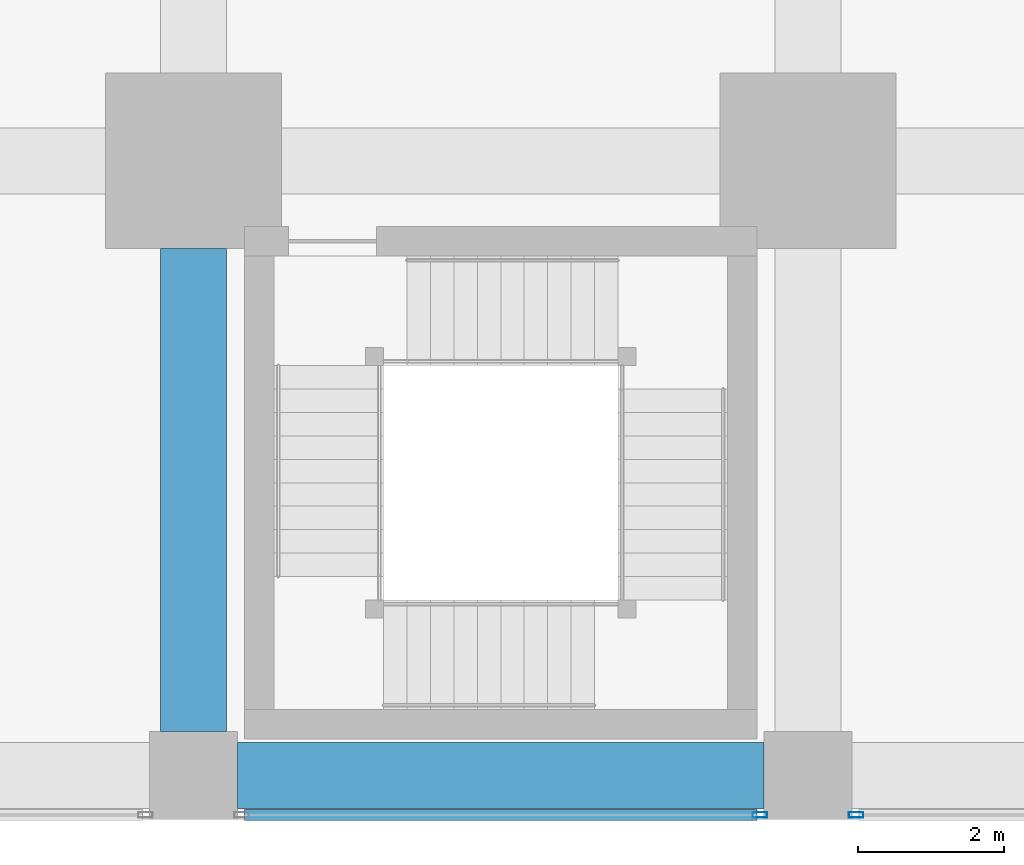
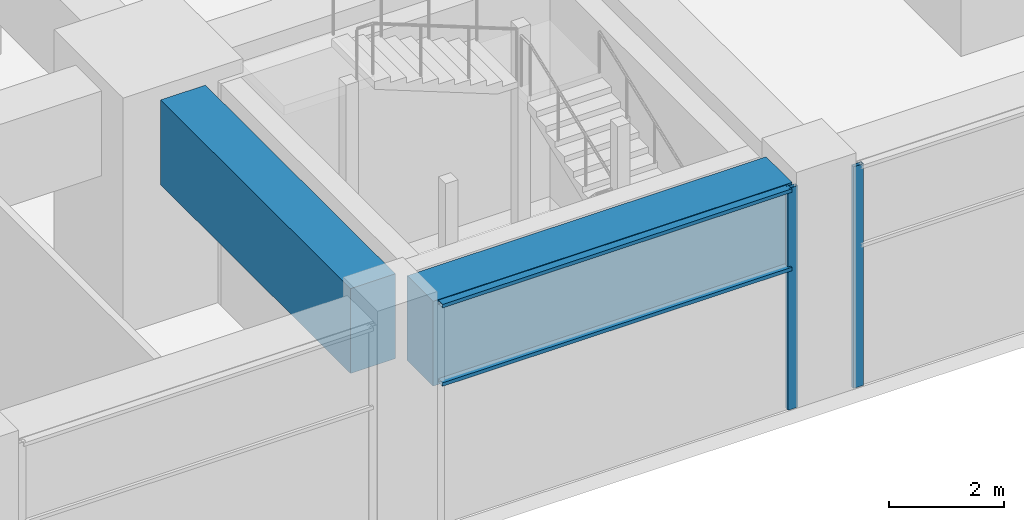
# One storey, part 7 of 49: 4 members, 2 beams, 2 elements without a shape of their own.
"""IFC4 building model written with IfcOpenShell, lengths in metres."""

from ifc_helpers import new_model, si_unit, direction, frame, origin, origin_2d, place, context, subcontext, project, spatial, rectangle, hollow_rectangle, extrude, material, material_profile, profile_set, type_object, element, aggregate, save


model = new_model("IFC4")

# Units and contexts
model_context = context("Model", 3, precision=1e-05, world=origin(), true_north=direction((0.0, 1.0)))
body_context = subcontext(model_context, "Body", "Model", "MODEL_VIEW")
ifc_project = project(units=[si_unit("LENGTHUNIT", "METRE"), si_unit("AREAUNIT", "SQUARE_METRE"), si_unit("VOLUMEUNIT", "CUBIC_METRE"), si_unit("PLANEANGLEUNIT", "RADIAN"), si_unit("MASSUNIT", "GRAM", prefix="KILO")], contexts=[model_context])

# Site, building, storey
site_placement = place(None, origin())
site = spatial("IfcSite", under=ifc_project, at=site_placement, CompositionType="ELEMENT")
building_placement = place(site_placement, origin())
building = spatial("IfcBuilding", under=site, at=building_placement, Name="Rekha Terrace Tower", CompositionType="ELEMENT")
storey_placement = place(building_placement, frame((0.0, 0.0, 10.39990234375)))
storey = spatial("IfcBuildingStorey", under=building, at=storey_placement, Name="L02", CompositionType="ELEMENT", Elevation=10.39990234375)

# Curtain wall, member
ifc_material_1 = material(Name="Aluminium framing", Category="aluminium")
curtain_wall_type = type_object("IfcCurtainWallType", Name="CW4 podium shopfront glazing", PredefinedType="USERDEFINED", material=ifc_material_1)
curtain_wall_1_placement = place(storey_placement, origin())
curtain_wall_1 = element("IfcCurtainWall", 1, at=curtain_wall_1_placement, inside=storey, type_object=curtain_wall_type, Name="CW4 shopfront curtain wall", ObjectType="SHOPFRONT CURTAIN WALL", PredefinedType="USERDEFINED")
ifc_material_2 = material(Name="Aluminium mullion section", Category="aluminium")
ifc_material_profile_1 = material_profile(ifc_material_2, hollow_rectangle(XDim=0.074951171875, YDim=0.199951171875, WallThickness=0.00390625, at=origin_2d()), Name="AL RHS 75x200")
ifc_profile_set_1 = profile_set([ifc_material_profile_1], Name="Aluminium mullion section")
member_type_1 = type_object("IfcMemberType", Name="CW4 mullion RHS 75 x 200", PredefinedType="MULLION", material=ifc_profile_set_1)
member_1_placement = place(storey_placement, frame((24.54248046875, -0.5400390625, 0.0), z_axis=(0.0, 0.0, 1.0), x_axis=(0.0, 1.0, 0.0)))
member_1 = element("IfcMember", 2, at=member_1_placement, type_object=member_type_1, Name="CW4 mullion 2", PredefinedType="MULLION", context=body_context, shape_type="SweptSolid", body=[
    extrude(hollow_rectangle(XDim=0.074951171875, YDim=0.199951171875, WallThickness=0.00390625, at=origin_2d()), origin(), (0.0, 0.0, 1.0), 4.7001953125),
])

curtain_wall_2_placement = place(storey_placement, origin())
curtain_wall_2 = element("IfcCurtainWall", 3, at=curtain_wall_2_placement, inside=storey, type_object=curtain_wall_type, Name="CW4 shopfront curtain wall", ObjectType="SHOPFRONT CURTAIN WALL", PredefinedType="USERDEFINED")
member_2_placement = place(storey_placement, frame((25.857421875, -0.5400390625, 0.0), z_axis=(0.0, 0.0, 1.0), x_axis=(0.0, 1.0, 0.0)))
member_2 = element("IfcMember", 4, at=member_2_placement, type_object=member_type_1, Name="CW4 mullion 1", PredefinedType="MULLION", context=body_context, shape_type="SweptSolid", body=[
    extrude(hollow_rectangle(XDim=0.074951171875, YDim=0.199951171875, WallThickness=0.00390625, at=origin_2d()), origin(), (0.0, 0.0, 1.0), 4.7001953125),
])
aggregate(curtain_wall_2, [member_2])

# Member
ifc_material_3 = material(Name="Aluminium transom section", Category="aluminium")
ifc_material_profile_2 = material_profile(ifc_material_3, hollow_rectangle(XDim=0.14990234375, YDim=0.074951171875, WallThickness=0.0029296875, at=origin_2d()), Name="AL RHS 150x75")
ifc_profile_set_2 = profile_set([ifc_material_profile_2], Name="Aluminium transom section")
member_type_2 = type_object("IfcMemberType", Name="CW4 transom RHS 75 x 150", PredefinedType="USERDEFINED", material=ifc_profile_set_2)
member_3_placement = place(storey_placement, frame((17.4951171875, -0.5400390625, 3.0), z_axis=(1.0, 0.0, 0.0), x_axis=(0.0, 1.0, 0.0)))
member_3 = element("IfcMember", 5, at=member_3_placement, type_object=member_type_2, Name="CW4 transom 1.2", ObjectType="TRANSOM", PredefinedType="USERDEFINED", context=body_context, shape_type="SweptSolid", body=[
    extrude(hollow_rectangle(XDim=0.14990234375, YDim=0.074951171875, WallThickness=0.0029296875, at=origin_2d()), origin(), (0.0, 0.0, 1.0), 7.009765625),
])

member_4_placement = place(storey_placement, frame((17.4951171875, -0.5400390625, 4.66259765625), z_axis=(1.0, 0.0, 0.0), x_axis=(0.0, 1.0, 0.0)))
member_4 = element("IfcMember", 6, at=member_4_placement, type_object=member_type_2, Name="CW4 transom 1.3", ObjectType="TRANSOM", PredefinedType="USERDEFINED", context=body_context, shape_type="SweptSolid", body=[
    extrude(hollow_rectangle(XDim=0.14990234375, YDim=0.074951171875, WallThickness=0.0029296875, at=origin_2d()), origin(), (0.0, 0.0, 1.0), 7.009765625),
])

aggregate(curtain_wall_1, [member_1, member_3, member_4])

# Beams
ifc_material_4 = material(Name="Concrete M60", Category="concrete")
ifc_material_profile_3 = material_profile(ifc_material_4, rectangle(XDim=0.89990234375, YDim=1.800048828125, at=origin_2d()), Name="RC 900x1800")
ifc_profile_set_3 = profile_set([ifc_material_profile_3], Name="Concrete M60")
beam_type = type_object("IfcBeamType", Name="G1 900x1800 podium floor beam", PredefinedType="BEAM", material=ifc_profile_set_3)
beam_1_placement = place(storey_placement, frame((17.39990234375, 0.0, 3.800048828125), z_axis=(1.0, 0.0, 0.0), x_axis=(0.0, 1.0, 0.0)))
element("IfcBeam", 7, at=beam_1_placement, inside=storey, type_object=beam_type, Name="Beam G1 3A-4A under L03", PredefinedType="BEAM", context=body_context, shape_type="SweptSolid", body=[
    extrude(rectangle(XDim=0.89990234375, YDim=1.800048828125, at=origin_2d()), origin(), (0.0, 0.0, 1.0), 7.2001953125),
])
beam_2_placement = place(storey_placement, frame((16.800048828125, 0.60009765625, 3.800048828125), z_axis=(0.0, 1.0, 0.0), x_axis=(-1.0, 0.0, 0.0)))
element("IfcBeam", 8, at=beam_2_placement, inside=storey, type_object=beam_type, Name="Beam G1 3A-3B under L03", PredefinedType="BEAM", context=body_context, shape_type="SweptSolid", body=[
    extrude(rectangle(XDim=0.89990234375, YDim=1.800048828125, at=origin_2d()), origin(), (0.0, 0.0, 1.0), 6.599853515625),
])

save(model, "model.ifc")
